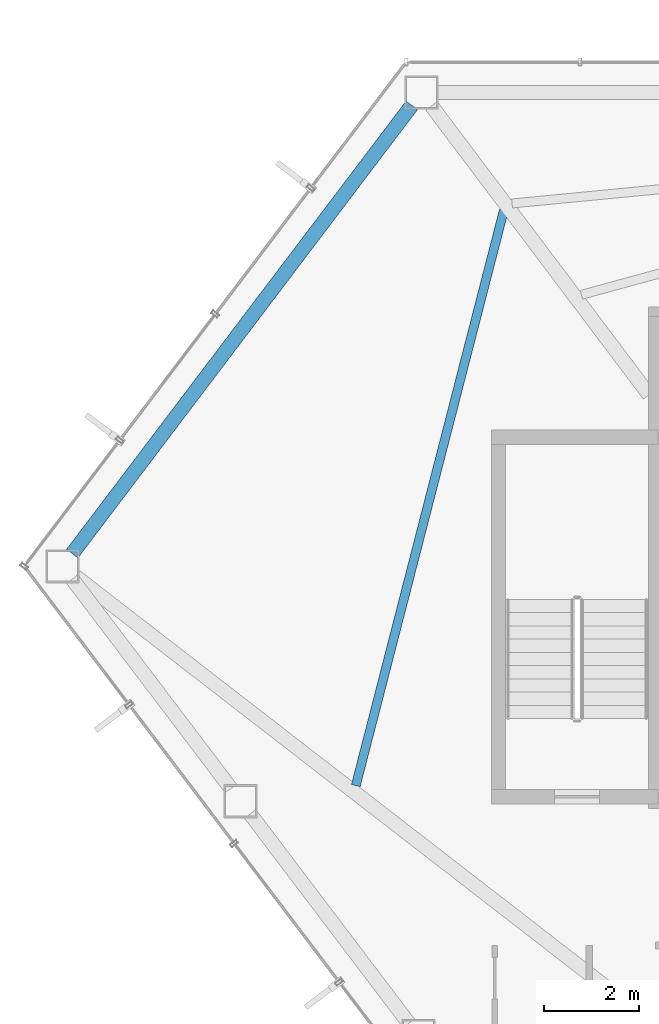
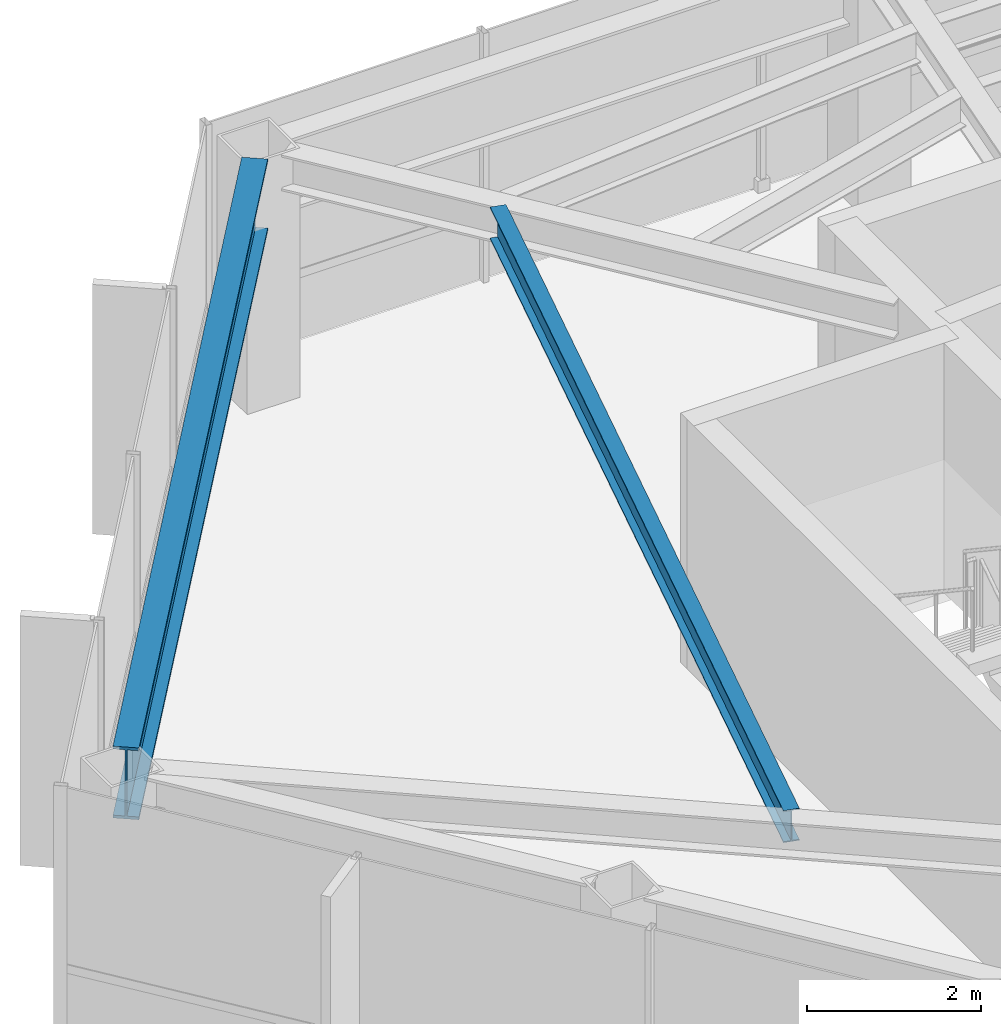
# One storey, part 11 of 28: 2 beams.
"""IFC4 building model written with IfcOpenShell, lengths in metres."""

from ifc_helpers import new_model, si_unit, direction, frame, origin, origin_2d, place, context, subcontext, project, spatial, i_section, extrude, material, material_profile, profile_set, type_object, element, save


model = new_model("IFC4")

# Units and contexts
model_context = context("Model", 3, precision=1e-05, world=origin(), true_north=direction((0.0, 1.0)))
body_context = subcontext(model_context, "Body", "Model", "MODEL_VIEW")
ifc_project = project(units=[si_unit("LENGTHUNIT", "METRE"), si_unit("AREAUNIT", "SQUARE_METRE"), si_unit("VOLUMEUNIT", "CUBIC_METRE"), si_unit("PLANEANGLEUNIT", "RADIAN"), si_unit("MASSUNIT", "GRAM", prefix="KILO")], contexts=[model_context])

# Site, building, storey
site_placement = place(None, origin())
site = spatial("IfcSite", under=ifc_project, at=site_placement, CompositionType="ELEMENT")
building_placement = place(site_placement, origin())
building = spatial("IfcBuilding", under=site, at=building_placement, Name="Zarrinselat Tower", CompositionType="ELEMENT")
storey_placement = place(building_placement, frame((0.0, 0.0, 168.300048828125)))
storey = spatial("IfcBuildingStorey", under=building, at=storey_placement, Name="L41", CompositionType="ELEMENT", Elevation=168.300048828125)

# Beams
ifc_material_1 = material(Name="Steel S460M", Category="steel")
ifc_material_profile_1 = material_profile(ifc_material_1, i_section(OverallWidth=0.302001953125, OverallDepth=1.008056640625, WebThickness=0.02099609375, FlangeThickness=0.0400390625, at=origin_2d()), Name="HEM 1000")
ifc_profile_set_1 = profile_set([ifc_material_profile_1], Name="Steel S460M")
beam_type_1 = type_object("IfcBeamType", Name="BM-HEM1000", PredefinedType="BEAM", material=ifc_profile_set_1)
beam_1_placement = place(storey_placement, frame((16.21337890625, 38.4404296875, 2.995849609375), z_axis=(0.60384938732, 0.797098436477, 0.0), x_axis=(-0.797098436477, 0.60384938732, 0.0)))
element("IfcBeam", 1, at=beam_1_placement, inside=storey, type_object=beam_type_1, Name="L41 Perimeter Spandrel Girder SP05", PredefinedType="BEAM", context=body_context, shape_type="SweptSolid", body=[
    extrude(i_section(OverallWidth=0.302001953125, OverallDepth=1.008056640625, WebThickness=0.02099609375, FlangeThickness=0.0400390625, at=origin_2d()), origin(), (0.0, 0.0, 1.0), 11.891845703125),
])
ifc_material_2 = material(Name="Steel S355J2", Category="steel")
ifc_material_profile_2 = material_profile(ifc_material_2, i_section(OverallWidth=0.18994140625, OverallDepth=0.449951171875, WebThickness=0.009521484375, FlangeThickness=0.0146484375, at=origin_2d()), Name="IPE 450")
ifc_profile_set_2 = profile_set([ifc_material_profile_2], Name="Steel S355J2")
beam_type_2 = type_object("IfcBeamType", Name="BM-IPE450", PredefinedType="JOIST", material=ifc_profile_set_2)
beam_2_placement = place(storey_placement, frame((22.209716796875, 33.5341796875, 3.27490234375), z_axis=(0.249204117575, 0.968450983676, 0.0), x_axis=(-0.968450983676, 0.249204117575, 0.0)))
element("IfcBeam", 2, at=beam_2_placement, inside=storey, type_object=beam_type_2, Name="L41 Composite Floor Joist 10-1", PredefinedType="JOIST", context=body_context, shape_type="SweptSolid", body=[
    extrude(i_section(OverallWidth=0.18994140625, OverallDepth=0.449951171875, WebThickness=0.009521484375, FlangeThickness=0.0146484375, at=origin_2d()), origin(), (0.0, 0.0, 1.0), 12.5576171875),
])

save(model, "model.ifc")
